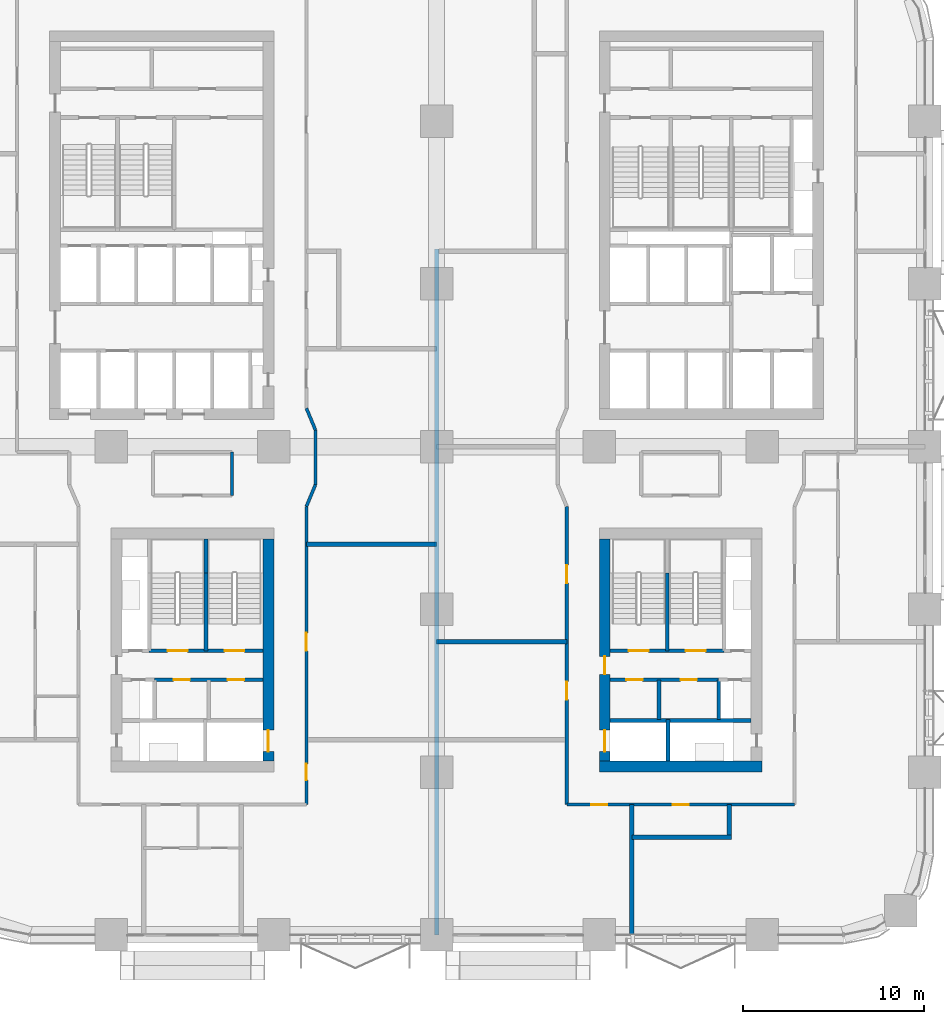
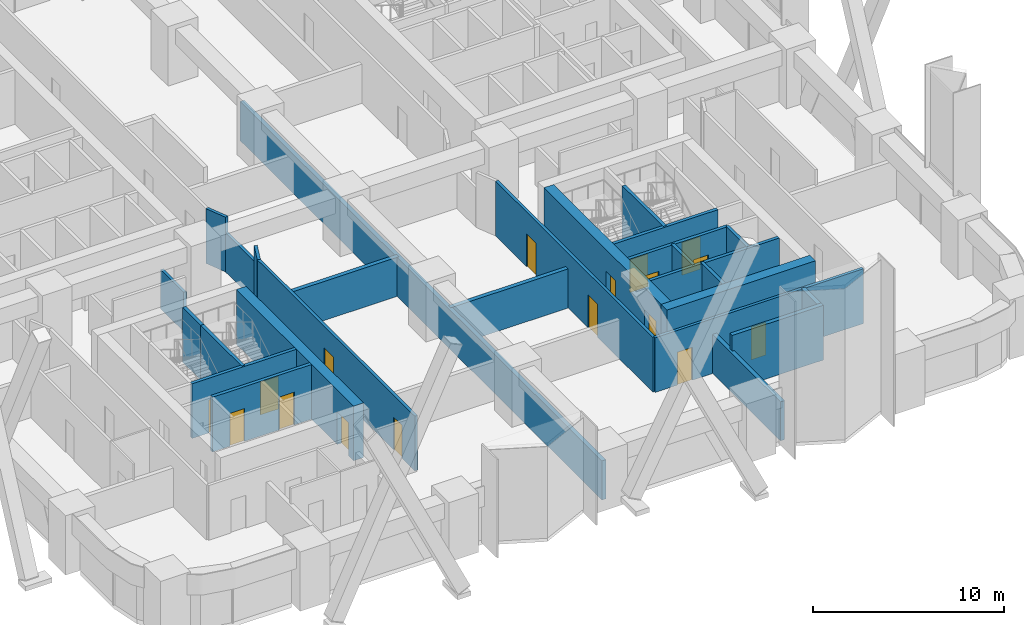
# One storey, part 18 of 26: 27 walls, 17 doors, 17 openings.
"""IFC4 building model written with IfcOpenShell, lengths in metres."""

from ifc_helpers import new_model, si_unit, direction, frame, frame_2d, origin, place, context, subcontext, project, spatial, rectangle, extrude, material, layer, layer_set, type_object, element, fill, save


model = new_model("IFC4")

# Units and contexts
model_context = context("Model", 3, precision=1e-05, world=origin(), true_north=direction((0.0, 1.0)))
body_context = subcontext(model_context, "Body", "Model", "MODEL_VIEW")
ifc_project = project(units=[si_unit("LENGTHUNIT", "METRE"), si_unit("AREAUNIT", "SQUARE_METRE"), si_unit("VOLUMEUNIT", "CUBIC_METRE"), si_unit("PLANEANGLEUNIT", "RADIAN"), si_unit("MASSUNIT", "GRAM", prefix="KILO")], contexts=[model_context])

# Site, building, storey
site_placement = place(None, origin())
site = spatial("IfcSite", under=ifc_project, at=site_placement, CompositionType="ELEMENT")
building_placement = place(site_placement, origin())
building = spatial("IfcBuilding", under=site, at=building_placement, Name="Tessera Arch", CompositionType="ELEMENT")
storey_placement = place(building_placement, frame((0.0, 0.0, 31.0)))
storey = spatial("IfcBuildingStorey", under=building, at=storey_placement, Name="L05", CompositionType="ELEMENT", Elevation=31.0)

# Wall
ifc_material_1 = material(Name="Gypsum board on steel stud", Category="steel")
ifc_layer_1 = layer(ifc_material_1, 0.125)
ifc_layer_set_1 = layer_set([ifc_layer_1], Name="Core partition 125 EI 60")
wall_type_1 = type_object("IfcWallType", Name="Core partition 125 EI 60", PredefinedType="PARTITIONING", material=ifc_layer_set_1)
wall_1_placement = place(storey_placement, frame((39.300048828125, 11.89990234375, 0.0), z_axis=(0.0, 0.0, 1.0), x_axis=(0.0, 1.0, 0.0)))
element("IfcWall", 1, at=wall_1_placement, inside=storey, type_object=wall_type_1, Name="L05 C3 partition wall 1", PredefinedType="PARTITIONING", context=body_context, shape_type="SweptSolid", body=[
    extrude(rectangle(XDim=2.2001953125, YDim=0.199951171875, at=frame_2d((1.10009765625, 0.0))), origin(), (0.0, 0.0, 1.0), 3.5),
])

# Wall, openings, doors
wall_2_placement = place(storey_placement, frame((36.60009765625, 14.10009765625, 0.0), z_axis=(0.0, 0.0, 1.0), x_axis=(1.0, 0.0, 0.0)))
wall_2 = element("IfcWall", 2, at=wall_2_placement, inside=storey, type_object=wall_type_1, Name="L05 C3 partition wall 9", PredefinedType="PARTITIONING", context=body_context, shape_type="SweptSolid", body=[
    extrude(rectangle(XDim=6.0, YDim=0.199951171875, at=frame_2d((3.0, 0.0))), origin(), (0.0, 0.0, 1.0), 3.5),
])
opening_1_placement = place(wall_2_placement, frame((0.89990234375, 0.0, 0.0)))
opening_1 = element("IfcOpeningElement", 3, at=opening_1_placement, cuts=wall_2, Name="Opening L05-C38", PredefinedType="OPENING", context=body_context, shape_type="SweptSolid", body=[
    extrude(rectangle(XDim=0.89990234375, YDim=2.10009765625, at=frame_2d((0.449951171875, 1.050048828125))), frame((0.0, 0.10986328125, 0.0), z_axis=(0.0, -1.0, 0.0), x_axis=(1.0, 0.0, 0.0)), (0.0, 0.0, 1.0), 0.219970703125),
])
opening_2_placement = place(wall_2_placement, frame((3.89990234375, 0.0, 0.0)))
opening_2 = element("IfcOpeningElement", 4, at=opening_2_placement, cuts=wall_2, Name="Opening L05-C39", PredefinedType="OPENING", context=body_context, shape_type="SweptSolid", body=[
    extrude(rectangle(XDim=0.89990234375, YDim=2.10009765625, at=frame_2d((0.449951171875, 1.050048828125))), frame((0.0, 0.10986328125, 0.0), z_axis=(0.0, -1.0, 0.0), x_axis=(1.0, 0.0, 0.0)), (0.0, 0.0, 1.0), 0.219970703125),
])
ifc_material_2 = material(Name="Steel door leaf", Category="steel")
door_type_1 = type_object("IfcDoorType", Name="Store door FD30S 900 x 2100", OperationType="SINGLE_SWING_LEFT", PredefinedType="DOOR", material=ifc_material_2)
door_1_placement = place(opening_1_placement, origin())
door_1 = element("IfcDoor", 5, at=door_1_placement, inside=storey, type_object=door_type_1, Name="L05 C3 door 8 C38 type D09", OperationType="SINGLE_SWING_LEFT", OverallHeight=2.10009765625, OverallWidth=0.89990234375, PredefinedType="DOOR", context=body_context, shape_type="SweptSolid", body=[
    extrude(rectangle(XDim=0.89990234375, YDim=2.10009765625, at=frame_2d((0.449951171875, 1.050048828125))), frame((0.0, 0.02490234375, 0.0), z_axis=(0.0, -1.0, 0.0), x_axis=(1.0, 0.0, 0.0)), (0.0, 0.0, 1.0), 0.050048828125),
])
fill(opening_1, door_1)
door_2_placement = place(opening_2_placement, origin())
door_2 = element("IfcDoor", 6, at=door_2_placement, inside=storey, type_object=door_type_1, Name="L05 C3 door 9 C39 type D09", OperationType="SINGLE_SWING_RIGHT", OverallHeight=2.10009765625, OverallWidth=0.89990234375, PredefinedType="DOOR", context=body_context, shape_type="SweptSolid", body=[
    extrude(rectangle(XDim=0.89990234375, YDim=2.10009765625, at=frame_2d((0.449951171875, 1.050048828125))), frame((0.0, 0.02490234375, 0.0), z_axis=(0.0, -1.0, 0.0), x_axis=(1.0, 0.0, 0.0)), (0.0, 0.0, 1.0), 0.050048828125),
])
fill(opening_2, door_2)

wall_3_placement = place(storey_placement, frame((11.39990234375, 14.10009765625, 0.0), z_axis=(0.0, 0.0, 1.0), x_axis=(1.0, 0.0, 0.0)))
wall_3 = element("IfcWall", 7, at=wall_3_placement, inside=storey, type_object=wall_type_1, Name="L05 C4 partition wall 9", PredefinedType="PARTITIONING", context=body_context, shape_type="SweptSolid", body=[
    extrude(rectangle(XDim=6.0, YDim=0.199951171875, at=frame_2d((3.0, 0.0))), origin(), (0.0, 0.0, 1.0), 3.5),
])
opening_3_placement = place(wall_3_placement, frame((1.050048828125, 0.0, 0.0)))
opening_3 = element("IfcOpeningElement", 8, at=opening_3_placement, cuts=wall_3, Name="Opening L05-C47", PredefinedType="OPENING", context=body_context, shape_type="SweptSolid", body=[
    extrude(rectangle(XDim=0.89990234375, YDim=2.10009765625, at=frame_2d((0.449951171875, 1.050048828125))), frame((0.0, 0.10986328125, 0.0), z_axis=(0.0, -1.0, 0.0), x_axis=(1.0, 0.0, 0.0)), (0.0, 0.0, 1.0), 0.219970703125),
])
opening_4_placement = place(wall_3_placement, frame((4.050048828125, 0.0, 0.0)))
opening_4 = element("IfcOpeningElement", 9, at=opening_4_placement, cuts=wall_3, Name="Opening L05-C48", PredefinedType="OPENING", context=body_context, shape_type="SweptSolid", body=[
    extrude(rectangle(XDim=0.89990234375, YDim=2.10009765625, at=frame_2d((0.449951171875, 1.050048828125))), frame((0.0, 0.10986328125, 0.0), z_axis=(0.0, -1.0, 0.0), x_axis=(1.0, 0.0, 0.0)), (0.0, 0.0, 1.0), 0.219970703125),
])
door_3_placement = place(opening_3_placement, origin())
door_3 = element("IfcDoor", 10, at=door_3_placement, inside=storey, type_object=door_type_1, Name="L05 C4 door 8 C47 type D09", OperationType="SINGLE_SWING_LEFT", OverallHeight=2.10009765625, OverallWidth=0.89990234375, PredefinedType="DOOR", context=body_context, shape_type="SweptSolid", body=[
    extrude(rectangle(XDim=0.89990234375, YDim=2.10009765625, at=frame_2d((0.449951171875, 1.050048828125))), frame((0.0, 0.02490234375, 0.0), z_axis=(0.0, -1.0, 0.0), x_axis=(1.0, 0.0, 0.0)), (0.0, 0.0, 1.0), 0.050048828125),
])
fill(opening_3, door_3)
door_4_placement = place(opening_4_placement, origin())
door_4 = element("IfcDoor", 11, at=door_4_placement, inside=storey, type_object=door_type_1, Name="L05 C4 door 9 C48 type D09", OperationType="SINGLE_SWING_RIGHT", OverallHeight=2.10009765625, OverallWidth=0.89990234375, PredefinedType="DOOR", context=body_context, shape_type="SweptSolid", body=[
    extrude(rectangle(XDim=0.89990234375, YDim=2.10009765625, at=frame_2d((0.449951171875, 1.050048828125))), frame((0.0, 0.02490234375, 0.0), z_axis=(0.0, -1.0, 0.0), x_axis=(1.0, 0.0, 0.0)), (0.0, 0.0, 1.0), 0.050048828125),
])
fill(opening_4, door_4)

# Wall
ifc_material_3 = material(Name="Concrete C70/85", Category="concrete")
ifc_layer_2 = layer(ifc_material_3, 0.60009765625)
ifc_layer_set_2 = layer_set([ifc_layer_2], Name="Core shell wall 600 C70-85")
wall_type_2 = type_object("IfcWallType", Name="Core shell wall 600 C70-85", PredefinedType="SHEAR", material=ifc_layer_set_2)
wall_4_placement = place(storey_placement, frame((36.0, 9.300048828125, 0.0), z_axis=(0.0, 0.0, 1.0), x_axis=(1.0, 0.0, 0.0)))
element("IfcWall", 12, at=wall_4_placement, inside=storey, type_object=wall_type_2, Name="L05 C3 core wall S", PredefinedType="SHEAR", context=body_context, shape_type="SweptSolid", body=[
    extrude(rectangle(XDim=9.0, YDim=0.60009765625, at=frame_2d((4.5, 0.0))), origin(), (0.0, 0.0, 1.0), 3.5),
])

# Wall, openings, doors
wall_5_placement = place(storey_placement, frame((36.300048828125, 9.60009765625, 0.0), z_axis=(0.0, 0.0, 1.0), x_axis=(0.0, 1.0, 0.0)))
wall_5 = element("IfcWall", 13, at=wall_5_placement, inside=storey, type_object=wall_type_2, Name="L05 C3 core wall W", PredefinedType="SHEAR", context=body_context, shape_type="SweptSolid", body=[
    extrude(rectangle(XDim=12.2998046875, YDim=0.60009765625, at=frame_2d((6.14990234375, 0.0))), origin(), (0.0, 0.0, 1.0), 3.5),
])
opening_5_placement = place(wall_5_placement, frame((0.52490234375, 0.0, 0.0)))
opening_5 = element("IfcOpeningElement", 14, at=opening_5_placement, cuts=wall_5, Name="Opening L05-C31", PredefinedType="OPENING", context=body_context, shape_type="SweptSolid", body=[
    extrude(rectangle(XDim=1.199951171875, YDim=2.10009765625, at=frame_2d((0.60009765625, 1.050048828125))), frame((0.0, 0.31005859375, 0.0), z_axis=(0.0, -1.0, 0.0), x_axis=(1.0, 0.0, 0.0)), (0.0, 0.0, 1.0), 0.6201171875),
])
opening_6_placement = place(wall_5_placement, frame((4.800048828125, 0.0, 0.0)))
opening_6 = element("IfcOpeningElement", 15, at=opening_6_placement, cuts=wall_5, Name="Opening L05-C37", PredefinedType="OPENING", context=body_context, shape_type="SweptSolid", body=[
    extrude(rectangle(XDim=1.0, YDim=2.10009765625, at=frame_2d((0.5, 1.050048828125))), frame((0.0, 0.31005859375, 0.0), z_axis=(0.0, -1.0, 0.0), x_axis=(1.0, 0.0, 0.0)), (0.0, 0.0, 1.0), 0.6201171875),
])
ifc_material_4 = material(Name="Steel door leaf", Category="steel")
door_type_2 = type_object("IfcDoorType", Name="Corridor door FD60 1000 x 2100", OperationType="SINGLE_SWING_LEFT", PredefinedType="DOOR", material=ifc_material_4)
door_5_placement = place(opening_6_placement, origin())
door_5 = element("IfcDoor", 16, at=door_5_placement, inside=storey, type_object=door_type_2, Name="L05 C3 door 7 C37 type D12", OperationType="SINGLE_SWING_LEFT", OverallHeight=2.10009765625, OverallWidth=1.0, PredefinedType="DOOR", context=body_context, shape_type="SweptSolid", body=[
    extrude(rectangle(XDim=1.0, YDim=2.10009765625, at=frame_2d((0.5, 1.050048828125))), frame((0.0, 0.02490234375, 0.0), z_axis=(0.0, -1.0, 0.0), x_axis=(1.0, 0.0, 0.0)), (0.0, 0.0, 1.0), 0.050048828125),
])
fill(opening_6, door_5)
ifc_material_5 = material(Name="Stainless steel AISI 304", Category="steel")
door_type_3 = type_object("IfcDoorType", Name="Sliding landing door 1200 x 2100", OperationType="SLIDING_TO_LEFT", PredefinedType="DOOR", material=ifc_material_5)
door_6_placement = place(opening_5_placement, origin())
door_6 = element("IfcDoor", 17, at=door_6_placement, inside=storey, type_object=door_type_3, Name="L05 SV1 lift landing door C31 type LD", OperationType="SLIDING_TO_LEFT", OverallHeight=2.10009765625, OverallWidth=1.199951171875, PredefinedType="DOOR", context=body_context, shape_type="SweptSolid", body=[
    extrude(rectangle(XDim=1.199951171875, YDim=2.10009765625, at=frame_2d((0.60009765625, 1.050048828125))), frame((0.0, 0.02490234375, 0.0), z_axis=(0.0, -1.0, 0.0), x_axis=(1.0, 0.0, 0.0)), (0.0, 0.0, 1.0), 0.050048828125),
])
fill(opening_5, door_6)

# Wall, opening, door
wall_6_placement = place(storey_placement, frame((17.699951171875, 9.60009765625, 0.0), z_axis=(0.0, 0.0, 1.0), x_axis=(0.0, 1.0, 0.0)))
wall_6 = element("IfcWall", 18, at=wall_6_placement, inside=storey, type_object=wall_type_2, Name="L05 C4 core wall E", PredefinedType="SHEAR", context=body_context, shape_type="SweptSolid", body=[
    extrude(rectangle(XDim=12.2998046875, YDim=0.60009765625, at=frame_2d((6.14990234375, 0.0))), origin(), (0.0, 0.0, 1.0), 3.5),
])
opening_7_placement = place(wall_6_placement, frame((0.52490234375, 0.0, 0.0)))
opening_7 = element("IfcOpeningElement", 19, at=opening_7_placement, cuts=wall_6, Name="Opening L05-C40", PredefinedType="OPENING", context=body_context, shape_type="SweptSolid", body=[
    extrude(rectangle(XDim=1.199951171875, YDim=2.10009765625, at=frame_2d((0.60009765625, 1.050048828125))), frame((0.0, 0.31005859375, 0.0), z_axis=(0.0, -1.0, 0.0), x_axis=(1.0, 0.0, 0.0)), (0.0, 0.0, 1.0), 0.6201171875),
])
door_7_placement = place(opening_7_placement, origin())
door_7 = element("IfcDoor", 20, at=door_7_placement, inside=storey, type_object=door_type_3, Name="L05 SV3 lift landing door C40 type LD", OperationType="SLIDING_TO_LEFT", OverallHeight=2.10009765625, OverallWidth=1.199951171875, PredefinedType="DOOR", context=body_context, shape_type="SweptSolid", body=[
    extrude(rectangle(XDim=1.199951171875, YDim=2.10009765625, at=frame_2d((0.60009765625, 1.050048828125))), frame((0.0, 0.02490234375, 0.0), z_axis=(0.0, -1.0, 0.0), x_axis=(1.0, 0.0, 0.0)), (0.0, 0.0, 1.0), 0.050048828125),
])
fill(opening_7, door_7)

# Wall, openings, doors
ifc_material_6 = material(Name="Gypsum board on deep steel stud with mineral wool", Category="steel")
ifc_layer_3 = layer(ifc_material_6, 0.175048828125)
ifc_layer_set_3 = layer_set([ifc_layer_3], Name="Corridor wall 175 EI 60")
wall_type_3 = type_object("IfcWallType", Name="Corridor wall 175 EI 60", PredefinedType="PARTITIONING", material=ifc_layer_set_3)
wall_7_placement = place(storey_placement, frame((34.199951171875, 7.199951171875, 0.0), z_axis=(0.0, 0.0, 1.0), x_axis=(1.0, 0.0, 0.0)))
wall_7 = element("IfcWall", 21, at=wall_7_placement, inside=storey, type_object=wall_type_3, Name="L05 partition 2", PredefinedType="PARTITIONING", context=body_context, shape_type="SweptSolid", body=[
    extrude(rectangle(XDim=12.60009765625, YDim=0.175048828125, at=frame_2d((6.300048828125, 0.0))), origin(), (0.0, 0.0, 1.0), 3.5),
])
opening_8_placement = place(wall_7_placement, frame((1.35009765625, 0.0, 0.0)))
opening_8 = element("IfcOpeningElement", 22, at=opening_8_placement, cuts=wall_7, Name="Opening L05-D005", PredefinedType="OPENING", context=body_context, shape_type="SweptSolid", body=[
    extrude(rectangle(XDim=0.89990234375, YDim=2.10009765625, at=frame_2d((0.449951171875, 1.050048828125))), frame((0.0, 0.097412109375, 0.0), z_axis=(0.0, -1.0, 0.0), x_axis=(1.0, 0.0, 0.0)), (0.0, 0.0, 1.0), 0.195068359375),
])
opening_9_placement = place(wall_7_placement, frame((5.85009765625, 0.0, 0.0)))
opening_9 = element("IfcOpeningElement", 23, at=opening_9_placement, cuts=wall_7, Name="Opening L05-D007", PredefinedType="OPENING", context=body_context, shape_type="SweptSolid", body=[
    extrude(rectangle(XDim=0.89990234375, YDim=2.10009765625, at=frame_2d((0.449951171875, 1.050048828125))), frame((0.0, 0.097412109375, 0.0), z_axis=(0.0, -1.0, 0.0), x_axis=(1.0, 0.0, 0.0)), (0.0, 0.0, 1.0), 0.195068359375),
])
ifc_material_7 = material(Name="Timber door leaf", Category="wood")
door_type_4 = type_object("IfcDoorType", Name="Room door 900 x 2100", OperationType="SINGLE_SWING_LEFT", PredefinedType="DOOR", material=ifc_material_7)
door_8_placement = place(opening_8_placement, origin())
door_8 = element("IfcDoor", 24, at=door_8_placement, inside=storey, type_object=door_type_4, Name="L05 door D005 type D01", OperationType="SINGLE_SWING_RIGHT", OverallHeight=2.10009765625, OverallWidth=0.89990234375, PredefinedType="DOOR", context=body_context, shape_type="SweptSolid", body=[
    extrude(rectangle(XDim=0.89990234375, YDim=2.10009765625, at=frame_2d((0.449951171875, 1.050048828125))), frame((0.0, 0.02490234375, 0.0), z_axis=(0.0, -1.0, 0.0), x_axis=(1.0, 0.0, 0.0)), (0.0, 0.0, 1.0), 0.050048828125),
])
fill(opening_8, door_8)
door_9_placement = place(opening_9_placement, origin())
door_9 = element("IfcDoor", 25, at=door_9_placement, inside=storey, type_object=door_type_4, Name="L05 door D007 type D01", OperationType="SINGLE_SWING_RIGHT", OverallHeight=2.10009765625, OverallWidth=0.89990234375, PredefinedType="DOOR", context=body_context, shape_type="SweptSolid", body=[
    extrude(rectangle(XDim=0.89990234375, YDim=2.10009765625, at=frame_2d((0.449951171875, 1.050048828125))), frame((0.0, 0.02490234375, 0.0), z_axis=(0.0, -1.0, 0.0), x_axis=(1.0, 0.0, 0.0)), (0.0, 0.0, 1.0), 0.050048828125),
])
fill(opening_9, door_9)

# Wall
wall_8_placement = place(storey_placement, frame((15.679931640625, 24.300048828125, 0.0), z_axis=(0.0, 0.0, 1.0), x_axis=(0.0, 1.0, 0.0)))
element("IfcWall", 26, at=wall_8_placement, inside=storey, type_object=wall_type_3, Name="L05 partition 15", PredefinedType="PARTITIONING", context=body_context, shape_type="SweptSolid", body=[
    extrude(rectangle(XDim=2.39990234375, YDim=0.175048828125, at=frame_2d((1.199951171875, 0.0))), origin(), (0.0, 0.0, 1.0), 2.5),
])

# Wall, openings, doors
wall_9_placement = place(storey_placement, frame((19.800048828125, 7.199951171875, 0.0), z_axis=(0.0, 0.0, 1.0), x_axis=(0.0, 1.0, 0.0)))
wall_9 = element("IfcWall", 27, at=wall_9_placement, inside=storey, type_object=wall_type_3, Name="L05 partition 16", PredefinedType="PARTITIONING", context=body_context, shape_type="SweptSolid", body=[
    extrude(rectangle(XDim=16.489990234375, YDim=0.175048828125, at=frame_2d((8.2451171875, 0.0))), origin(), (0.0, 0.0, 1.0), 3.5),
])
opening_10_placement = place(wall_9_placement, frame((1.35009765625, 0.0, 0.0)))
opening_10 = element("IfcOpeningElement", 28, at=opening_10_placement, cuts=wall_9, Name="Opening L05-D004", PredefinedType="OPENING", context=body_context, shape_type="SweptSolid", body=[
    extrude(rectangle(XDim=0.89990234375, YDim=2.10009765625, at=frame_2d((0.449951171875, 1.050048828125))), frame((0.0, 0.097412109375, 0.0), z_axis=(0.0, -1.0, 0.0), x_axis=(1.0, 0.0, 0.0)), (0.0, 0.0, 1.0), 0.195068359375),
])
opening_11_placement = place(wall_9_placement, frame((8.5, 0.0, 0.0)))
opening_11 = element("IfcOpeningElement", 29, at=opening_11_placement, cuts=wall_9, Name="Opening L05-D013", PredefinedType="OPENING", context=body_context, shape_type="SweptSolid", body=[
    extrude(rectangle(XDim=1.0, YDim=2.10009765625, at=frame_2d((0.5, 1.050048828125))), frame((0.0, 0.097412109375, 0.0), z_axis=(0.0, -1.0, 0.0), x_axis=(1.0, 0.0, 0.0)), (0.0, 0.0, 1.0), 0.195068359375),
])
ifc_material_8 = material(Name="Fire-rated door leaf")
door_type_5 = type_object("IfcDoorType", Name="Entrance door FD30S 1000 x 2100", OperationType="SINGLE_SWING_LEFT", PredefinedType="DOOR", material=ifc_material_8)
door_10_placement = place(opening_11_placement, origin())
door_10 = element("IfcDoor", 30, at=door_10_placement, inside=storey, type_object=door_type_5, Name="L05 door D013 type D03", OperationType="SINGLE_SWING_RIGHT", OverallHeight=2.10009765625, OverallWidth=1.0, PredefinedType="DOOR", context=body_context, shape_type="SweptSolid", body=[
    extrude(rectangle(XDim=1.0, YDim=2.10009765625, at=frame_2d((0.5, 1.050048828125))), frame((0.0, 0.02490234375, 0.0), z_axis=(0.0, -1.0, 0.0), x_axis=(1.0, 0.0, 0.0)), (0.0, 0.0, 1.0), 0.050048828125),
])
fill(opening_11, door_10)
door_11_placement = place(opening_10_placement, origin())
door_11 = element("IfcDoor", 31, at=door_11_placement, inside=storey, type_object=door_type_4, Name="L05 door D004 type D01", OperationType="SINGLE_SWING_LEFT", OverallHeight=2.10009765625, OverallWidth=0.89990234375, PredefinedType="DOOR", context=body_context, shape_type="SweptSolid", body=[
    extrude(rectangle(XDim=0.89990234375, YDim=2.10009765625, at=frame_2d((0.449951171875, 1.050048828125))), frame((0.0, 0.02490234375, 0.0), z_axis=(0.0, -1.0, 0.0), x_axis=(1.0, 0.0, 0.0)), (0.0, 0.0, 1.0), 0.050048828125),
])
fill(opening_10, door_11)

# Wall
wall_10_placement = place(storey_placement, frame((20.300048828125, 24.889892578125, 0.0), z_axis=(0.0, 0.0, 1.0), x_axis=(0.0, 1.0, 0.0)))
element("IfcWall", 32, at=wall_10_placement, inside=storey, type_object=wall_type_3, Name="L05 partition 18", PredefinedType="PARTITIONING", context=body_context, shape_type="SweptSolid", body=[
    extrude(rectangle(XDim=3.030029296875, YDim=0.175048828125, at=frame_2d((1.51513671875, 0.0))), origin(), (0.0, 0.0, 1.0), 2.5),
])

# Wall, openings, doors
wall_11_placement = place(storey_placement, frame((34.199951171875, 7.199951171875, 0.0), z_axis=(0.0, 0.0, 1.0), x_axis=(0.0, 1.0, 0.0)))
wall_11 = element("IfcWall", 33, at=wall_11_placement, inside=storey, type_object=wall_type_3, Name="L05 partition 20", PredefinedType="PARTITIONING", context=body_context, shape_type="SweptSolid", body=[
    extrude(rectangle(XDim=16.489990234375, YDim=0.175048828125, at=frame_2d((8.2451171875, 0.0))), origin(), (0.0, 0.0, 1.0), 3.5),
])
opening_12_placement = place(wall_11_placement, frame((5.800048828125, 0.0, 0.0)))
opening_12 = element("IfcOpeningElement", 34, at=opening_12_placement, cuts=wall_11, Name="Opening L05-D009", PredefinedType="OPENING", context=body_context, shape_type="SweptSolid", body=[
    extrude(rectangle(XDim=1.0, YDim=2.10009765625, at=frame_2d((0.5, 1.050048828125))), frame((0.0, 0.097412109375, 0.0), z_axis=(0.0, -1.0, 0.0), x_axis=(1.0, 0.0, 0.0)), (0.0, 0.0, 1.0), 0.195068359375),
])
opening_13_placement = place(wall_11_placement, frame((12.2451171875, 0.0, 0.0)))
opening_13 = element("IfcOpeningElement", 35, at=opening_13_placement, cuts=wall_11, Name="Opening L05-D014", PredefinedType="OPENING", context=body_context, shape_type="SweptSolid", body=[
    extrude(rectangle(XDim=1.0, YDim=2.10009765625, at=frame_2d((0.5, 1.050048828125))), frame((0.0, 0.097412109375, 0.0), z_axis=(0.0, -1.0, 0.0), x_axis=(1.0, 0.0, 0.0)), (0.0, 0.0, 1.0), 0.195068359375),
])
door_12_placement = place(opening_12_placement, origin())
door_12 = element("IfcDoor", 36, at=door_12_placement, inside=storey, type_object=door_type_5, Name="L05 door D009 type D03", OperationType="SINGLE_SWING_LEFT", OverallHeight=2.10009765625, OverallWidth=1.0, PredefinedType="DOOR", context=body_context, shape_type="SweptSolid", body=[
    extrude(rectangle(XDim=1.0, YDim=2.10009765625, at=frame_2d((0.5, 1.050048828125))), frame((0.0, 0.02490234375, 0.0), z_axis=(0.0, -1.0, 0.0), x_axis=(1.0, 0.0, 0.0)), (0.0, 0.0, 1.0), 0.050048828125),
])
fill(opening_12, door_12)
door_13_placement = place(opening_13_placement, origin())
door_13 = element("IfcDoor", 37, at=door_13_placement, inside=storey, type_object=door_type_5, Name="L05 door D014 type D03", OperationType="SINGLE_SWING_RIGHT", OverallHeight=2.10009765625, OverallWidth=1.0, PredefinedType="DOOR", context=body_context, shape_type="SweptSolid", body=[
    extrude(rectangle(XDim=1.0, YDim=2.10009765625, at=frame_2d((0.5, 1.050048828125))), frame((0.0, 0.02490234375, 0.0), z_axis=(0.0, -1.0, 0.0), x_axis=(1.0, 0.0, 0.0)), (0.0, 0.0, 1.0), 0.050048828125),
])
fill(opening_13, door_13)

# Walls
wall_12_placement = place(storey_placement, frame((19.800048828125, 29.1201171875, 0.0), z_axis=(0.0, 0.0, 1.0), x_axis=(0.384562051588, -0.923099143363, 0.0)))
element("IfcWall", 38, at=wall_12_placement, inside=storey, type_object=wall_type_3, Name="L05 partition 68", PredefinedType="PARTITIONING", context=body_context, shape_type="SweptSolid", body=[
    extrude(rectangle(XDim=1.30029296875, YDim=0.175048828125, at=frame_2d((0.650146484375, 0.0))), origin(), (0.0, 0.0, 1.0), 3.5),
])
wall_13_placement = place(storey_placement, frame((20.300048828125, 24.889892578125, 0.0), z_axis=(0.0, 0.0, 1.0), x_axis=(-0.384628719983, -0.923071366561, 0.0)))
element("IfcWall", 39, at=wall_13_placement, inside=storey, type_object=wall_type_3, Name="L05 partition 69", PredefinedType="PARTITIONING", context=body_context, shape_type="SweptSolid", body=[
    extrude(rectangle(XDim=1.300048828125, YDim=0.175048828125, at=frame_2d((0.64990234375, 0.0))), origin(), (0.0, 0.0, 1.0), 3.5),
])
ifc_material_9 = material(Name="Double gypsum board on twin steel stud with acoustic mineral wool", Category="steel")
ifc_layer_4 = layer(ifc_material_9, 0.25)
ifc_layer_set_4 = layer_set([ifc_layer_4], Name="Party wall 250 EI 60")
wall_type_4 = type_object("IfcWallType", Name="Party wall 250 EI 60", PredefinedType="PARTITIONING", material=ifc_layer_set_4)
wall_14_placement = place(storey_placement, frame((37.800048828125, 5.39990234375, 0.0), z_axis=(0.0, 0.0, 1.0), x_axis=(1.0, 0.0, 0.0)))
element("IfcWall", 40, at=wall_14_placement, inside=storey, type_object=wall_type_4, Name="L05 partition 30", PredefinedType="PARTITIONING", context=body_context, shape_type="SweptSolid", body=[
    extrude(rectangle(XDim=5.52490234375, YDim=0.25, at=frame_2d((2.762451171875, 0.0))), origin(), (0.0, 0.0, 1.0), 3.5),
])
for number, where, z_axis, x_axis, name in (
    (41, (27.0, 16.199951171875, 0.0), (0.0, 0.0, 1.0), (1.0, 0.0, 0.0), "L05 partition 33"),
    (42, (19.800048828125, 21.60009765625, 0.0), (0.0, 0.0, 1.0), (1.0, 0.0, 0.0), "L05 partition 36"),
):
    element("IfcWall", number, at=place(storey_placement, frame(where, z_axis=z_axis, x_axis=x_axis)), inside=storey, type_object=wall_type_4, Name=name, PredefinedType="PARTITIONING", context=body_context, shape_type="SweptSolid", body=[
        extrude(rectangle(XDim=7.199951171875, YDim=0.25, at=frame_2d((3.60009765625, 0.0))), origin(), (0.0, 0.0, 1.0), 2.5),
    ])
wall_15_placement = place(storey_placement, frame((27.0, 0.0, 0.0), z_axis=(0.0, 0.0, 1.0), x_axis=(0.0, 1.0, 0.0)))
element("IfcWall", 43, at=wall_15_placement, inside=storey, type_object=wall_type_4, Name="L05 partition 52", PredefinedType="PARTITIONING", context=body_context, shape_type="SweptSolid", body=[
    extrude(rectangle(XDim=37.925048828125, YDim=0.25, at=frame_2d((18.96240234375, 0.0))), origin(), (0.0, 0.0, 1.0), 2.5),
])
wall_16_placement = place(storey_placement, frame((37.800048828125, 0.0, 0.0), z_axis=(0.0, 0.0, 1.0), x_axis=(0.0, 1.0, 0.0)))
element("IfcWall", 44, at=wall_16_placement, inside=storey, type_object=wall_type_4, Name="L05 partition 54", PredefinedType="PARTITIONING", context=body_context, shape_type="SweptSolid", body=[
    extrude(rectangle(XDim=7.199951171875, YDim=0.25, at=frame_2d((3.60009765625, 0.0))), origin(), (0.0, 0.0, 1.0), 2.5),
])
wall_17_placement = place(storey_placement, frame((43.199951171875, 5.52490234375, 0.0), z_axis=(0.0, 0.0, 1.0), x_axis=(0.0, 1.0, 0.0)))
element("IfcWall", 45, at=wall_17_placement, inside=storey, type_object=wall_type_4, Name="L05 partition 55", PredefinedType="PARTITIONING", context=body_context, shape_type="SweptSolid", body=[
    extrude(rectangle(XDim=1.675048828125, YDim=0.25, at=frame_2d((0.83740234375, 0.0))), origin(), (0.0, 0.0, 1.0), 3.5),
])
ifc_material_10 = material(Name="Concrete C40/50", Category="concrete")
ifc_layer_5 = layer(ifc_material_10, 0.199951171875)
ifc_layer_set_5 = layer_set([ifc_layer_5], Name="Shaft wall 200 EI 120")
wall_type_5 = type_object("IfcWallType", Name="Shaft wall 200 EI 120", PredefinedType="SOLIDWALL", material=ifc_layer_set_5)
wall_18_placement = place(storey_placement, frame((39.800048828125, 9.60009765625, 0.0), z_axis=(0.0, 0.0, 1.0), x_axis=(0.0, 1.0, 0.0)))
element("IfcWall", 46, at=wall_18_placement, inside=storey, type_object=wall_type_5, Name="L05 C3 shaft wall 4", PredefinedType="SOLIDWALL", context=body_context, shape_type="SweptSolid", body=[
    extrude(rectangle(XDim=2.2998046875, YDim=0.199951171875, at=frame_2d((1.14990234375, 0.0))), origin(), (0.0, 0.0, 1.0), 3.5),
])
wall_19_placement = place(storey_placement, frame((42.60009765625, 11.89990234375, 0.0), z_axis=(0.0, 0.0, 1.0), x_axis=(0.0, 1.0, 0.0)))
element("IfcWall", 47, at=wall_19_placement, inside=storey, type_object=wall_type_5, Name="L05 C3 shaft wall 5", PredefinedType="SOLIDWALL", context=body_context, shape_type="SweptSolid", body=[
    extrude(rectangle(XDim=2.2001953125, YDim=0.199951171875, at=frame_2d((1.10009765625, 0.0))), origin(), (0.0, 0.0, 1.0), 3.5),
])
wall_20_placement = place(storey_placement, frame((36.60009765625, 11.85009765625, 0.0), z_axis=(0.0, 0.0, 1.0), x_axis=(1.0, 0.0, 0.0)))
element("IfcWall", 48, at=wall_20_placement, inside=storey, type_object=wall_type_5, Name="L05 C3 shaft wall 8", PredefinedType="SOLIDWALL", context=body_context, shape_type="SweptSolid", body=[
    extrude(rectangle(XDim=7.7998046875, YDim=0.199951171875, at=frame_2d((3.89990234375, 0.0))), origin(), (0.0, 0.0, 1.0), 3.5),
])
ifc_material_11 = material(Name="Concrete C40/50", Category="concrete")
ifc_layer_6 = layer(ifc_material_11, 0.199951171875)
ifc_layer_set_6 = layer_set([ifc_layer_6], Name="Stair well wall 200 REI 180")
wall_type_6 = type_object("IfcWallType", Name="Stair well wall 200 REI 180", PredefinedType="SOLIDWALL", material=ifc_layer_set_6)
wall_21_placement = place(storey_placement, frame((39.75, 15.699951171875, 0.0), z_axis=(0.0, 0.0, 1.0), x_axis=(0.0, 1.0, 0.0)))
element("IfcWall", 49, at=wall_21_placement, inside=storey, type_object=wall_type_6, Name="L05 C3 shaft wall 2", PredefinedType="SOLIDWALL", context=body_context, shape_type="SweptSolid", body=[
    extrude(rectangle(XDim=4.300048828125, YDim=0.199951171875, at=frame_2d((2.14990234375, 0.0))), origin(), (0.0, 0.0, 1.0), 3.5),
])

# Wall, openings, doors
wall_22_placement = place(storey_placement, frame((36.60009765625, 15.699951171875, 0.0), z_axis=(0.0, 0.0, 1.0), x_axis=(1.0, 0.0, 0.0)))
wall_22 = element("IfcWall", 50, at=wall_22_placement, inside=storey, type_object=wall_type_6, Name="L05 C3 shaft wall 12", PredefinedType="SOLIDWALL", context=body_context, shape_type="SweptSolid", body=[
    extrude(rectangle(XDim=6.2998046875, YDim=0.199951171875, at=frame_2d((3.14990234375, 0.0))), origin(), (0.0, 0.0, 1.0), 3.5),
])
opening_14_placement = place(wall_22_placement, frame((1.02490234375, 0.0, 0.0)))
opening_14 = element("IfcOpeningElement", 51, at=opening_14_placement, cuts=wall_22, Name="Opening L05-C32", PredefinedType="OPENING", context=body_context, shape_type="SweptSolid", body=[
    extrude(rectangle(XDim=1.10009765625, YDim=2.10009765625, at=frame_2d((0.550048828125, 1.050048828125))), frame((0.0, 0.10986328125, 0.0), z_axis=(0.0, -1.0, 0.0), x_axis=(1.0, 0.0, 0.0)), (0.0, 0.0, 1.0), 0.219970703125),
])
opening_15_placement = place(wall_22_placement, frame((4.175048828125, 0.0, 0.0)))
opening_15 = element("IfcOpeningElement", 52, at=opening_15_placement, cuts=wall_22, Name="Opening L05-C33", PredefinedType="OPENING", context=body_context, shape_type="SweptSolid", body=[
    extrude(rectangle(XDim=1.10009765625, YDim=2.10009765625, at=frame_2d((0.550048828125, 1.050048828125))), frame((0.0, 0.10986328125, 0.0), z_axis=(0.0, -1.0, 0.0), x_axis=(1.0, 0.0, 0.0)), (0.0, 0.0, 1.0), 0.219970703125),
])
ifc_material_12 = material(Name="Steel door leaf", Category="steel")
door_type_6 = type_object("IfcDoorType", Name="Stair door FD60 1100 x 2100", OperationType="SINGLE_SWING_LEFT", PredefinedType="DOOR", material=ifc_material_12)
door_14_placement = place(opening_14_placement, origin())
door_14 = element("IfcDoor", 53, at=door_14_placement, inside=storey, type_object=door_type_6, Name="L05 C3 door 2 C32 type D05", OperationType="SINGLE_SWING_LEFT", OverallHeight=2.10009765625, OverallWidth=1.10009765625, PredefinedType="DOOR", context=body_context, shape_type="SweptSolid", body=[
    extrude(rectangle(XDim=1.10009765625, YDim=2.10009765625, at=frame_2d((0.550048828125, 1.050048828125))), frame((0.0, 0.02490234375, 0.0), z_axis=(0.0, -1.0, 0.0), x_axis=(1.0, 0.0, 0.0)), (0.0, 0.0, 1.0), 0.050048828125),
])
fill(opening_14, door_14)
door_15_placement = place(opening_15_placement, origin())
door_15 = element("IfcDoor", 54, at=door_15_placement, inside=storey, type_object=door_type_6, Name="L05 C3 door 3 C33 type D05", OperationType="SINGLE_SWING_RIGHT", OverallHeight=2.10009765625, OverallWidth=1.10009765625, PredefinedType="DOOR", context=body_context, shape_type="SweptSolid", body=[
    extrude(rectangle(XDim=1.10009765625, YDim=2.10009765625, at=frame_2d((0.550048828125, 1.050048828125))), frame((0.0, 0.02490234375, 0.0), z_axis=(0.0, -1.0, 0.0), x_axis=(1.0, 0.0, 0.0)), (0.0, 0.0, 1.0), 0.050048828125),
])
fill(opening_15, door_15)

# Walls
wall_23_placement = place(storey_placement, frame((14.25, 15.699951171875, 0.0), z_axis=(0.0, 0.0, 1.0), x_axis=(0.0, 1.0, 0.0)))
element("IfcWall", 55, at=wall_23_placement, inside=storey, type_object=wall_type_6, Name="L05 C4 shaft wall 5", PredefinedType="SOLIDWALL", context=body_context, shape_type="SweptSolid", body=[
    extrude(rectangle(XDim=4.300048828125, YDim=0.199951171875, at=frame_2d((2.14990234375, 0.0))), origin(), (0.0, 0.0, 1.0), 3.5),
])
wall_24_placement = place(storey_placement, frame((14.25, 20.0, 0.0), z_axis=(0.0, 0.0, 1.0), x_axis=(0.0, 1.0, 0.0)))
element("IfcWall", 56, at=wall_24_placement, inside=storey, type_object=wall_type_6, Name="L05 C4 shaft wall 6", PredefinedType="SOLIDWALL", context=body_context, shape_type="SweptSolid", body=[
    extrude(rectangle(XDim=1.89990234375, YDim=0.199951171875, at=frame_2d((0.949951171875, 0.0))), origin(), (0.0, 0.0, 1.0), 3.5),
])

# Wall, openings, doors
wall_25_placement = place(storey_placement, frame((11.10009765625, 15.699951171875, 0.0), z_axis=(0.0, 0.0, 1.0), x_axis=(1.0, 0.0, 0.0)))
wall_25 = element("IfcWall", 57, at=wall_25_placement, inside=storey, type_object=wall_type_6, Name="L05 C4 shaft wall 12", PredefinedType="SOLIDWALL", context=body_context, shape_type="SweptSolid", body=[
    extrude(rectangle(XDim=6.2998046875, YDim=0.199951171875, at=frame_2d((3.14990234375, 0.0))), origin(), (0.0, 0.0, 1.0), 3.5),
])
opening_16_placement = place(wall_25_placement, frame((4.175048828125, 0.0, 0.0)))
opening_16 = element("IfcOpeningElement", 58, at=opening_16_placement, cuts=wall_25, Name="Opening L05-C41", PredefinedType="OPENING", context=body_context, shape_type="SweptSolid", body=[
    extrude(rectangle(XDim=1.10009765625, YDim=2.10009765625, at=frame_2d((0.550048828125, 1.050048828125))), frame((0.0, 0.10986328125, 0.0), z_axis=(0.0, -1.0, 0.0), x_axis=(1.0, 0.0, 0.0)), (0.0, 0.0, 1.0), 0.219970703125),
])
opening_17_placement = place(wall_25_placement, frame((1.02490234375, 0.0, 0.0)))
opening_17 = element("IfcOpeningElement", 59, at=opening_17_placement, cuts=wall_25, Name="Opening L05-C42", PredefinedType="OPENING", context=body_context, shape_type="SweptSolid", body=[
    extrude(rectangle(XDim=1.10009765625, YDim=2.10009765625, at=frame_2d((0.550048828125, 1.050048828125))), frame((0.0, 0.10986328125, 0.0), z_axis=(0.0, -1.0, 0.0), x_axis=(1.0, 0.0, 0.0)), (0.0, 0.0, 1.0), 0.219970703125),
])
door_16_placement = place(opening_16_placement, origin())
door_16 = element("IfcDoor", 60, at=door_16_placement, inside=storey, type_object=door_type_6, Name="L05 C4 door 2 C41 type D05", OperationType="SINGLE_SWING_RIGHT", OverallHeight=2.10009765625, OverallWidth=1.10009765625, PredefinedType="DOOR", context=body_context, shape_type="SweptSolid", body=[
    extrude(rectangle(XDim=1.10009765625, YDim=2.10009765625, at=frame_2d((0.550048828125, 1.050048828125))), frame((0.0, 0.02490234375, 0.0), z_axis=(0.0, -1.0, 0.0), x_axis=(1.0, 0.0, 0.0)), (0.0, 0.0, 1.0), 0.050048828125),
])
fill(opening_16, door_16)
door_17_placement = place(opening_17_placement, origin())
door_17 = element("IfcDoor", 61, at=door_17_placement, inside=storey, type_object=door_type_6, Name="L05 C4 door 3 C42 type D05", OperationType="SINGLE_SWING_LEFT", OverallHeight=2.10009765625, OverallWidth=1.10009765625, PredefinedType="DOOR", context=body_context, shape_type="SweptSolid", body=[
    extrude(rectangle(XDim=1.10009765625, YDim=2.10009765625, at=frame_2d((0.550048828125, 1.050048828125))), frame((0.0, 0.02490234375, 0.0), z_axis=(0.0, -1.0, 0.0), x_axis=(1.0, 0.0, 0.0)), (0.0, 0.0, 1.0), 0.050048828125),
])
fill(opening_17, door_17)

save(model, "model.ifc")
